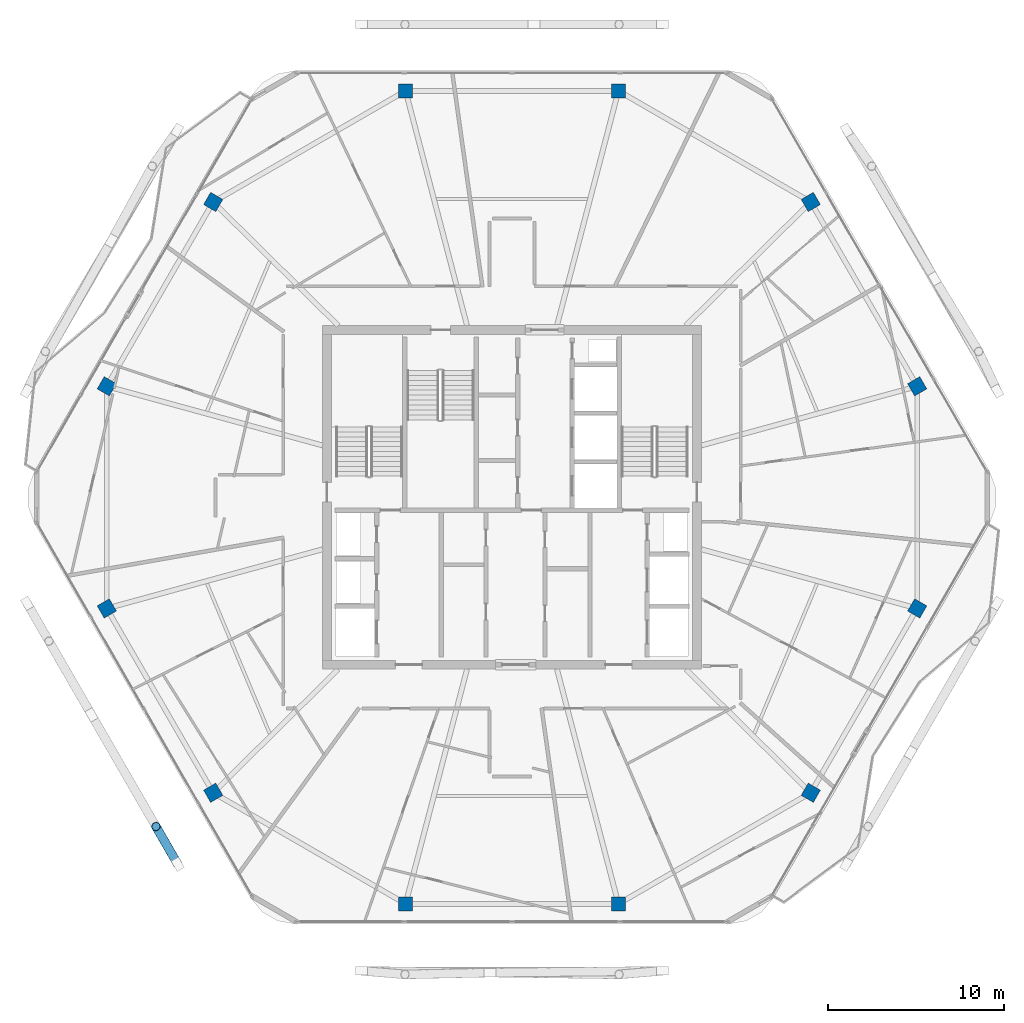
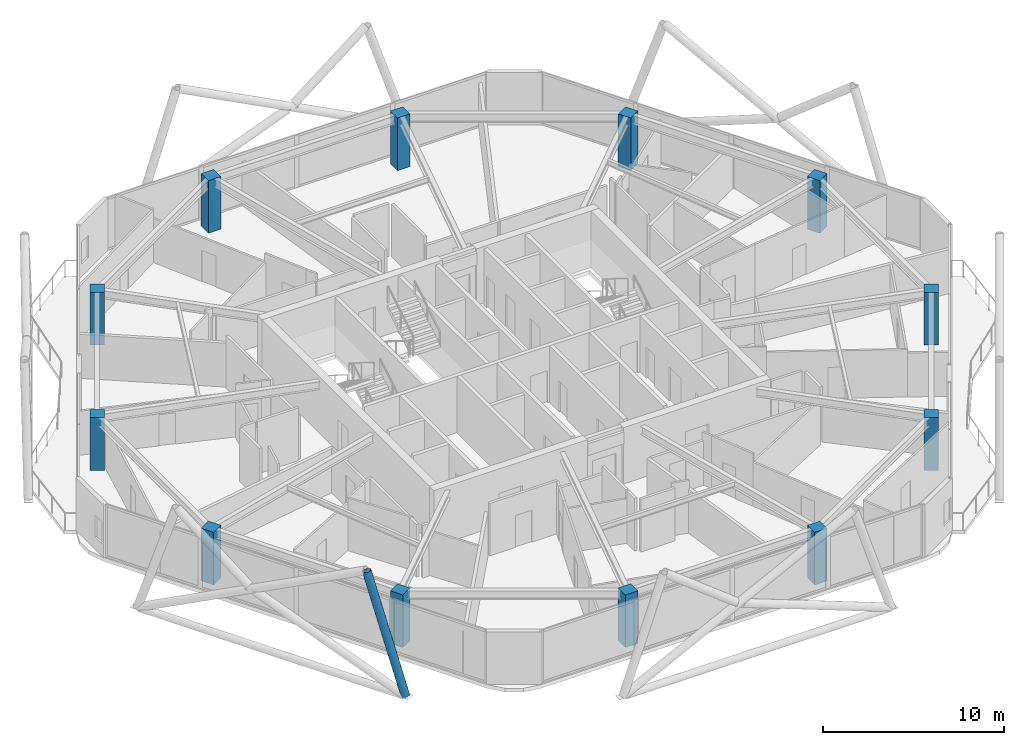
# One storey, part 1 of 23: 12 columns, 1 member.
"""IFC4 building model written with IfcOpenShell, lengths in metres."""

from ifc_helpers import new_model, si_unit, direction, frame, origin, origin_2d, place, context, subcontext, project, spatial, rectangle, hollow_circle, extrude, material, material_profile, profile_set, type_object, element, save


model = new_model("IFC4")

# Units and contexts
model_context = context("Model", 3, precision=1e-05, world=origin(), true_north=direction((0.0, 1.0)))
body_context = subcontext(model_context, "Body", "Model", "MODEL_VIEW")
ifc_project = project(units=[si_unit("LENGTHUNIT", "METRE"), si_unit("AREAUNIT", "SQUARE_METRE"), si_unit("VOLUMEUNIT", "CUBIC_METRE"), si_unit("PLANEANGLEUNIT", "RADIAN"), si_unit("MASSUNIT", "GRAM", prefix="KILO")], contexts=[model_context])

# Site, building, storey
site_placement = place(None, origin())
site = spatial("IfcSite", under=ifc_project, at=site_placement, CompositionType="ELEMENT")
building_placement = place(site_placement, origin())
building = spatial("IfcBuilding", under=site, at=building_placement, Name="Zuhravey Tower", CompositionType="ELEMENT")
storey_placement = place(building_placement, frame((0.0, 0.0, 315.800048828125)))
storey = spatial("IfcBuildingStorey", under=building, at=storey_placement, Name="L80", CompositionType="ELEMENT", Elevation=315.800048828125)

# Columns
ifc_material_1 = material(Name="Concrete C50/60", Category="concrete")
ifc_material_profile_1 = material_profile(ifc_material_1, rectangle(XDim=0.800048828125, YDim=0.800048828125, at=origin_2d()), Name="RC-800x800")
ifc_profile_set_1 = profile_set([ifc_material_profile_1], Name="Concrete C50/60")
column_type = type_object("IfcColumnType", Name="Zone 4 Perimeter Column 800x800", PredefinedType="COLUMN", material=ifc_profile_set_1)
for number, where, z_axis, x_axis, name in (
    (1, (58.993408203125, 38.302490234375, 0.0), (0.0, 0.0, 1.0), (-0.5, 0.866025403784, 0.0), "L80 Perimeter Column PC01"),
    (2, (52.95458984375, 48.76171875, 0.0), (0.0, 0.0, 1.0), (-0.5, 0.866025403784, 0.0), "L80 Perimeter Column PC02"),
    (3, (42.038818359375, 55.064208984375, 0.0), (0.0, 0.0, 1.0), (-1.0, 0.0, 0.0), "L80 Perimeter Column PC03"),
    (4, (29.961181640625, 55.064208984375, 0.0), (0.0, 0.0, 1.0), (-1.0, 0.0, 0.0), "L80 Perimeter Column PC04"),
    (5, (19.04541015625, 48.76171875, 0.0), (0.0, 0.0, 1.0), (-0.5, -0.866025403784, 0.0), "L80 Perimeter Column PC05"),
    (6, (13.006591796875, 38.302490234375, 0.0), (0.0, 0.0, 1.0), (-0.5, -0.866025403784, 0.0), "L80 Perimeter Column PC06"),
    (7, (13.006591796875, 25.697509765625, 0.0), (0.0, 0.0, 1.0), (0.5, -0.866025403784, 0.0), "L80 Perimeter Column PC07"),
    (8, (19.04541015625, 15.23828125, 0.0), (0.0, 0.0, 1.0), (0.5, -0.866025403784, 0.0), "L80 Perimeter Column PC08"),
    (9, (29.961181640625, 8.935791015625, 0.0), (0.0, 0.0, 1.0), (1.0, 0.0, 0.0), "L80 Perimeter Column PC09"),
    (10, (42.038818359375, 8.935791015625, 0.0), (0.0, 0.0, 1.0), (1.0, 0.0, 0.0), "L80 Perimeter Column PC10"),
    (11, (52.95458984375, 15.23828125, 0.0), (0.0, 0.0, 1.0), (0.5, 0.866025403784, 0.0), "L80 Perimeter Column PC11"),
    (12, (58.993408203125, 25.697509765625, 0.0), (0.0, 0.0, 1.0), (0.5, 0.866025403784, 0.0), "L80 Perimeter Column PC12"),
):
    element("IfcColumn", number, at=place(storey_placement, frame(where, z_axis=z_axis, x_axis=x_axis)), inside=storey, type_object=column_type, Name=name, PredefinedType="COLUMN", context=body_context, shape_type="SweptSolid", body=[
        extrude(rectangle(XDim=0.800048828125, YDim=0.800048828125, at=origin_2d()), origin(), (0.0, 0.0, 1.0), 3.550048828125),
    ])

# Member
ifc_material_2 = material(Name="Steel SM355", Category="steel")
ifc_material_profile_2 = material_profile(ifc_material_2, hollow_circle(Radius=0.25390625, WallThickness=0.02490234375, at=origin_2d()), Name="CHS-508.0x25")
ifc_profile_set_2 = profile_set([ifc_material_profile_2], Name="Steel SM355")
member_type = type_object("IfcMemberType", Name="Exoskeleton Zone 4 Diagrid CHS508x25", PredefinedType="BRACE", material=ifc_profile_set_2)
member_placement = place(storey_placement, frame((17.033203125, 11.183349609375, -0.447998046875), z_axis=(-0.155230970352, 0.268878930867, 0.950582698338), x_axis=(-0.866034263809, -0.499984653673, 0.0)))
element("IfcMember", 13, at=member_placement, inside=storey, type_object=member_type, Name="L80 Face 4 Diagrid Brace 4", PredefinedType="BRACE", context=body_context, shape_type="SweptSolid", body=[
    extrude(hollow_circle(Radius=0.25390625, WallThickness=0.02490234375, at=origin_2d()), origin(), (0.0, 0.0, 1.0), 7.961181640625),
])

save(model, "model.ifc")
